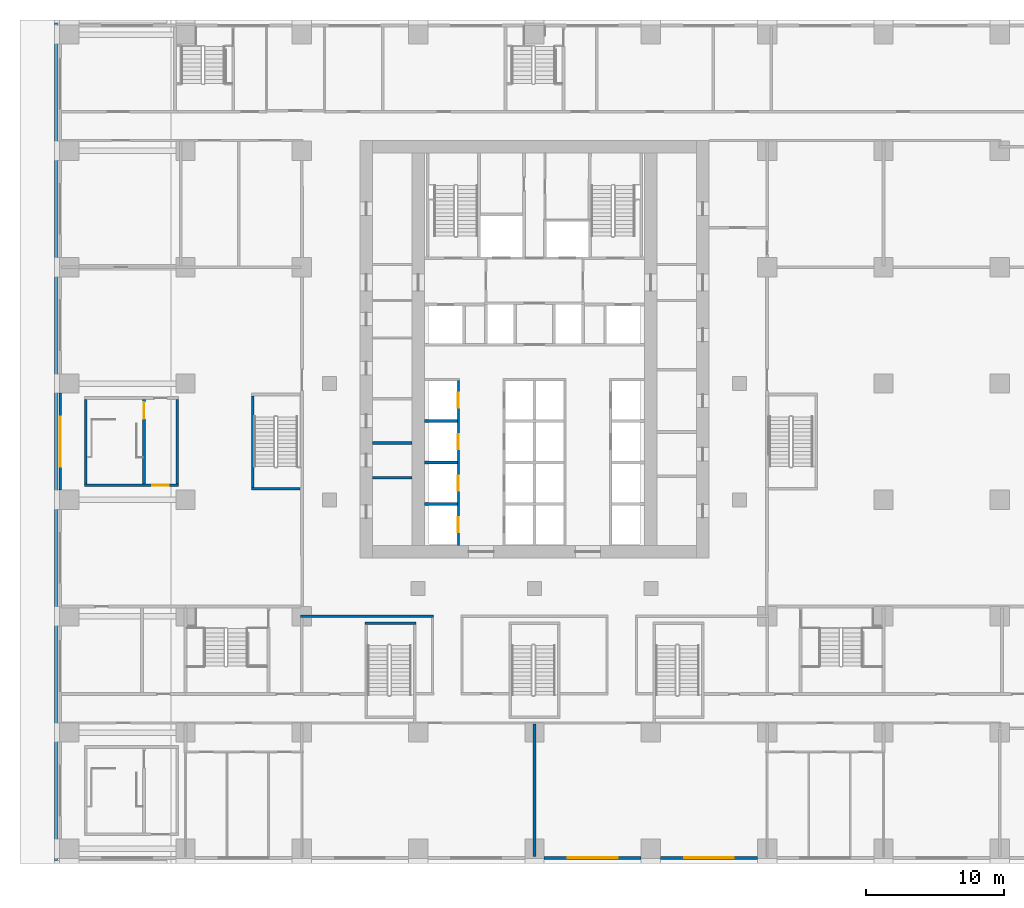
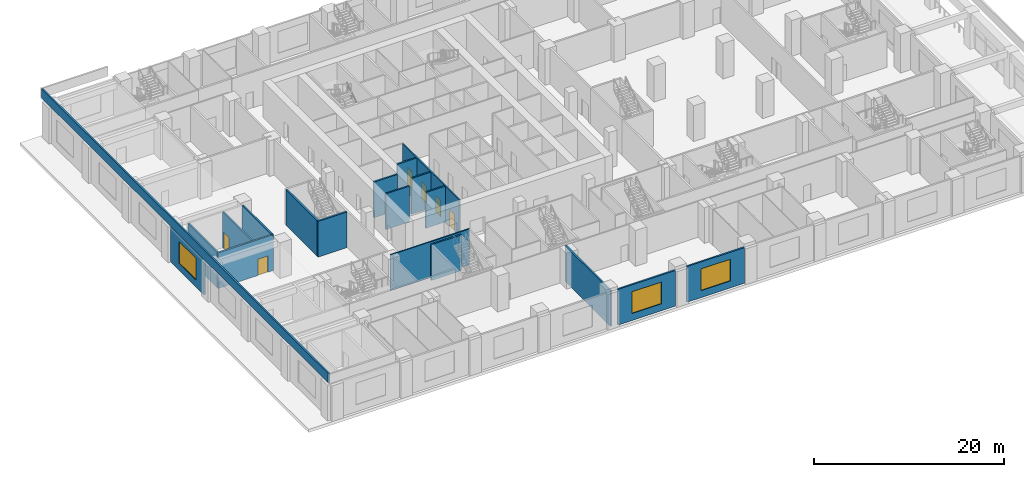
# One storey, part 9 of 29: 19 walls, 6 doors, 3 windows, 9 openings.
"""IFC4 building model written with IfcOpenShell, lengths in metres."""

from ifc_helpers import new_model, si_unit, direction, frame, frame_2d, origin, place, context, subcontext, project, spatial, rectangle, extrude, material, layer, layer_set, type_object, element, fill, save


model = new_model("IFC4")

# Units and contexts
model_context = context("Model", 3, precision=1e-05, world=origin(), true_north=direction((0.0, 1.0)))
body_context = subcontext(model_context, "Body", "Model", "MODEL_VIEW")
ifc_project = project(units=[si_unit("LENGTHUNIT", "METRE"), si_unit("AREAUNIT", "SQUARE_METRE"), si_unit("VOLUMEUNIT", "CUBIC_METRE"), si_unit("PLANEANGLEUNIT", "RADIAN"), si_unit("MASSUNIT", "GRAM", prefix="KILO")], contexts=[model_context])

# Site, building, storey
site_placement = place(None, origin())
site = spatial("IfcSite", under=ifc_project, at=site_placement, CompositionType="ELEMENT")
building_placement = place(site_placement, origin())
building = spatial("IfcBuilding", under=site, at=building_placement, Name="Vermilion Ogive Tower", CompositionType="ELEMENT")
storey_placement = place(building_placement, frame((0.0, 0.0, 7.5)))
storey = spatial("IfcBuildingStorey", under=building, at=storey_placement, Name="L01", CompositionType="ELEMENT", Elevation=7.5)

# Wall
ifc_material_1 = material(Name="Gypsum board partition on steel studs", Category="steel")
ifc_layer_1 = layer(ifc_material_1, 0.14990234375)
ifc_layer_set_1 = layer_set([ifc_layer_1], Name="Partition 150 corridor")
wall_type_1 = type_object("IfcWallType", Name="Partition 150 corridor", PredefinedType="PARTITIONING", material=ifc_layer_set_1)
wall_1_placement = place(storey_placement, frame((-16.89990234375, -12.60009765625, 0.0), z_axis=(0.0, 0.0, 1.0), x_axis=(1.0, 0.0, 0.0)))
element("IfcWall", 1, at=wall_1_placement, inside=storey, type_object=wall_type_1, Name="L01-FS-W-W018", PredefinedType="PARTITIONING", context=body_context, shape_type="SweptSolid", body=[
    extrude(rectangle(XDim=9.625, YDim=0.14990234375, at=frame_2d((4.8125, 0.0))), origin(), (0.0, 0.0, 1.0), 4.60009765625),
])

# Wall, openings, doors
wall_2_placement = place(storey_placement, frame((-5.5, -7.4990234375, 0.0), z_axis=(0.0, 0.0, 1.0), x_axis=(0.0, 1.0, 0.0)))
wall_2 = element("IfcWall", 2, at=wall_2_placement, inside=storey, type_object=wall_type_1, Name="L01-CK-W-W022", PredefinedType="PARTITIONING", context=body_context, shape_type="SweptSolid", body=[
    extrude(rectangle(XDim=11.924072265625, YDim=0.14990234375, at=frame_2d((5.9619140625, 0.0))), origin(), (0.0, 0.0, 1.0), 4.60009765625),
])
opening_1_placement = place(wall_2_placement, frame((0.948974609375, 0.0, 0.0)))
opening_1 = element("IfcOpeningElement", 3, at=opening_1_placement, cuts=wall_2, Name="Opening DAB041", PredefinedType="OPENING", context=body_context, shape_type="SweptSolid", body=[
    extrude(rectangle(XDim=1.10009765625, YDim=2.10009765625, at=frame_2d((0.550048828125, 1.050048828125))), frame((0.0, 0.0849609375, 0.0), z_axis=(0.0, -1.0, 0.0), x_axis=(1.0, 0.0, 0.0)), (0.0, 0.0, 1.0), 0.169921875),
])
opening_2_placement = place(wall_2_placement, frame((3.948974609375, 0.0, 0.0)))
opening_2 = element("IfcOpeningElement", 4, at=opening_2_placement, cuts=wall_2, Name="Opening DAB046", PredefinedType="OPENING", context=body_context, shape_type="SweptSolid", body=[
    extrude(rectangle(XDim=1.10009765625, YDim=2.10009765625, at=frame_2d((0.550048828125, 1.050048828125))), frame((0.0, 0.0849609375, 0.0), z_axis=(0.0, -1.0, 0.0), x_axis=(1.0, 0.0, 0.0)), (0.0, 0.0, 1.0), 0.169921875),
])
opening_3_placement = place(wall_2_placement, frame((6.948974609375, 0.0, 0.0)))
opening_3 = element("IfcOpeningElement", 5, at=opening_3_placement, cuts=wall_2, Name="Opening DAB047", PredefinedType="OPENING", context=body_context, shape_type="SweptSolid", body=[
    extrude(rectangle(XDim=1.10009765625, YDim=2.10009765625, at=frame_2d((0.550048828125, 1.050048828125))), frame((0.0, 0.0849609375, 0.0), z_axis=(0.0, -1.0, 0.0), x_axis=(1.0, 0.0, 0.0)), (0.0, 0.0, 1.0), 0.169921875),
])
opening_4_placement = place(wall_2_placement, frame((9.948974609375, 0.0, 0.0)))
opening_4 = element("IfcOpeningElement", 6, at=opening_4_placement, cuts=wall_2, Name="Opening DAB048", PredefinedType="OPENING", context=body_context, shape_type="SweptSolid", body=[
    extrude(rectangle(XDim=1.10009765625, YDim=2.10009765625, at=frame_2d((0.550048828125, 1.050048828125))), frame((0.0, 0.0849609375, 0.0), z_axis=(0.0, -1.0, 0.0), x_axis=(1.0, 0.0, 0.0)), (0.0, 0.0, 1.0), 0.169921875),
])
ifc_material_2 = material(Name="Stainless steel", Category="steel")
door_type_1 = type_object("IfcDoorType", Name="Lift landing door 1100 x 2100", OperationType="SLIDING_TO_LEFT", PredefinedType="DOOR", material=ifc_material_2)
door_1_placement = place(opening_1_placement, origin())
door_1 = element("IfcDoor", 7, at=door_1_placement, inside=storey, type_object=door_type_1, Name="L01-CK-D-D001", OperationType="SLIDING_TO_RIGHT", OverallHeight=2.10009765625, OverallWidth=1.10009765625, PredefinedType="DOOR", context=body_context, shape_type="SweptSolid", body=[
    extrude(rectangle(XDim=1.10009765625, YDim=2.10009765625, at=frame_2d((0.550048828125, 1.050048828125))), frame((0.0, 0.02490234375, 0.0), z_axis=(0.0, -1.0, 0.0), x_axis=(1.0, 0.0, 0.0)), (0.0, 0.0, 1.0), 0.050048828125),
])
fill(opening_1, door_1)
door_2_placement = place(opening_2_placement, origin())
door_2 = element("IfcDoor", 8, at=door_2_placement, inside=storey, type_object=door_type_1, Name="L01-CK-D-D002", OperationType="SLIDING_TO_RIGHT", OverallHeight=2.10009765625, OverallWidth=1.10009765625, PredefinedType="DOOR", context=body_context, shape_type="SweptSolid", body=[
    extrude(rectangle(XDim=1.10009765625, YDim=2.10009765625, at=frame_2d((0.550048828125, 1.050048828125))), frame((0.0, 0.02490234375, 0.0), z_axis=(0.0, -1.0, 0.0), x_axis=(1.0, 0.0, 0.0)), (0.0, 0.0, 1.0), 0.050048828125),
])
fill(opening_2, door_2)
door_3_placement = place(opening_3_placement, origin())
door_3 = element("IfcDoor", 9, at=door_3_placement, inside=storey, type_object=door_type_1, Name="L01-CK-D-D003", OperationType="SLIDING_TO_RIGHT", OverallHeight=2.10009765625, OverallWidth=1.10009765625, PredefinedType="DOOR", context=body_context, shape_type="SweptSolid", body=[
    extrude(rectangle(XDim=1.10009765625, YDim=2.10009765625, at=frame_2d((0.550048828125, 1.050048828125))), frame((0.0, 0.02490234375, 0.0), z_axis=(0.0, -1.0, 0.0), x_axis=(1.0, 0.0, 0.0)), (0.0, 0.0, 1.0), 0.050048828125),
])
fill(opening_3, door_3)
door_4_placement = place(opening_4_placement, origin())
door_4 = element("IfcDoor", 10, at=door_4_placement, inside=storey, type_object=door_type_1, Name="L01-CK-D-D004", OperationType="SLIDING_TO_RIGHT", OverallHeight=2.10009765625, OverallWidth=1.10009765625, PredefinedType="DOOR", context=body_context, shape_type="SweptSolid", body=[
    extrude(rectangle(XDim=1.10009765625, YDim=2.10009765625, at=frame_2d((0.550048828125, 1.050048828125))), frame((0.0, 0.02490234375, 0.0), z_axis=(0.0, -1.0, 0.0), x_axis=(1.0, 0.0, 0.0)), (0.0, 0.0, 1.0), 0.050048828125),
])
fill(opening_4, door_4)

# Wall, opening, door
ifc_material_3 = material(Name="Gypsum board partition on steel studs", Category="steel")
ifc_layer_2 = layer(ifc_material_3, 0.199951171875)
ifc_layer_set_2 = layer_set([ifc_layer_2], Name="Partition 200 party")
wall_type_2 = type_object("IfcWallType", Name="Partition 200 party", PredefinedType="PARTITIONING", material=ifc_layer_set_2)
wall_3_placement = place(storey_placement, frame((-32.5, -3.14990234375, 0.0), z_axis=(0.0, 0.0, 1.0), x_axis=(1.0, 0.0, 0.0)))
wall_3 = element("IfcWall", 11, at=wall_3_placement, inside=storey, type_object=wall_type_2, Name="L01-FS-W-W023", PredefinedType="PARTITIONING", context=body_context, shape_type="SweptSolid", body=[
    extrude(rectangle(XDim=6.800048828125, YDim=0.199951171875, at=frame_2d((3.39990234375, 0.0))), origin(), (0.0, 0.0, 1.0), 4.60009765625),
])
opening_5_placement = place(wall_3_placement, frame((4.89990234375, 0.0, 0.0)))
opening_5 = element("IfcOpeningElement", 12, at=opening_5_placement, cuts=wall_3, Name="Opening L01S021", PredefinedType="OPENING", context=body_context, shape_type="SweptSolid", body=[
    extrude(rectangle(XDim=1.199951171875, YDim=2.10009765625, at=frame_2d((0.60009765625, 1.050048828125))), frame((0.0, 0.10986328125, 0.0), z_axis=(0.0, -1.0, 0.0), x_axis=(1.0, 0.0, 0.0)), (0.0, 0.0, 1.0), 0.219970703125),
])
ifc_material_4 = material(Name="Timber door leaf", Category="wood")
door_type_2 = type_object("IfcDoorType", Name="Stair door 1200 x 2100 FD60S", OperationType="SINGLE_SWING_LEFT", PredefinedType="DOOR", material=ifc_material_4)
door_5_placement = place(opening_5_placement, origin())
door_5 = element("IfcDoor", 13, at=door_5_placement, inside=storey, type_object=door_type_2, Name="L01-FS-D-D021", OperationType="SINGLE_SWING_LEFT", OverallHeight=2.10009765625, OverallWidth=1.199951171875, PredefinedType="DOOR", context=body_context, shape_type="SweptSolid", body=[
    extrude(rectangle(XDim=1.199951171875, YDim=2.10009765625, at=frame_2d((0.60009765625, 1.050048828125))), frame((0.0, 0.02490234375, 0.0), z_axis=(0.0, -1.0, 0.0), x_axis=(1.0, 0.0, 0.0)), (0.0, 0.0, 1.0), 0.050048828125),
])
fill(opening_5, door_5)

# Wall
wall_4_placement = place(storey_placement, frame((-32.39990234375, -3.050048828125, 0.0), z_axis=(0.0, 0.0, 1.0), x_axis=(0.0, 1.0, 0.0)))
element("IfcWall", 14, at=wall_4_placement, inside=storey, type_object=wall_type_2, Name="L01-FS-W-W042", PredefinedType="PARTITIONING", context=body_context, shape_type="SweptSolid", body=[
    extrude(rectangle(XDim=6.10009765625, YDim=0.199951171875, at=frame_2d((3.050048828125, 0.0))), origin(), (0.0, 0.0, 1.0), 4.60009765625),
])

# Wall, opening, door
wall_5_placement = place(storey_placement, frame((-28.199951171875, -3.050048828125, 0.0), z_axis=(0.0, 0.0, 1.0), x_axis=(0.0, 1.0, 0.0)))
wall_5 = element("IfcWall", 15, at=wall_5_placement, inside=storey, type_object=wall_type_2, Name="L01-FS-W-W045", PredefinedType="PARTITIONING", context=body_context, shape_type="SweptSolid", body=[
    extrude(rectangle(XDim=6.10009765625, YDim=0.199951171875, at=frame_2d((3.050048828125, 0.0))), origin(), (0.0, 0.0, 1.0), 4.60009765625),
])
opening_6_placement = place(wall_5_placement, frame((4.7001953125, 0.0, 0.0)))
opening_6 = element("IfcOpeningElement", 16, at=opening_6_placement, cuts=wall_5, Name="Opening L01S011", PredefinedType="OPENING", context=body_context, shape_type="SweptSolid", body=[
    extrude(rectangle(XDim=1.199951171875, YDim=2.10009765625, at=frame_2d((0.60009765625, 1.050048828125))), frame((0.0, 0.10986328125, 0.0), z_axis=(0.0, -1.0, 0.0), x_axis=(1.0, 0.0, 0.0)), (0.0, 0.0, 1.0), 0.219970703125),
])
door_6_placement = place(opening_6_placement, origin())
door_6 = element("IfcDoor", 17, at=door_6_placement, inside=storey, type_object=door_type_2, Name="L01-FS-D-D011", OperationType="DOUBLE_DOOR_SINGLE_SWING", OverallHeight=2.10009765625, OverallWidth=1.199951171875, PredefinedType="DOOR", context=body_context, shape_type="SweptSolid", body=[
    extrude(rectangle(XDim=1.199951171875, YDim=2.10009765625, at=frame_2d((0.60009765625, 1.050048828125))), frame((0.0, 0.02490234375, 0.0), z_axis=(0.0, -1.0, 0.0), x_axis=(1.0, 0.0, 0.0)), (0.0, 0.0, 1.0), 0.050048828125),
])
fill(opening_6, door_6)

# Walls
wall_6_placement = place(storey_placement, frame((-25.800048828125, -3.050048828125, 0.0), z_axis=(0.0, 0.0, 1.0), x_axis=(0.0, 1.0, 0.0)))
element("IfcWall", 18, at=wall_6_placement, inside=storey, type_object=wall_type_2, Name="L01-FS-W-W048", PredefinedType="PARTITIONING", context=body_context, shape_type="SweptSolid", body=[
    extrude(rectangle(XDim=6.10009765625, YDim=0.199951171875, at=frame_2d((3.050048828125, 0.0))), origin(), (0.0, 0.0, 1.0), 4.60009765625),
])
wall_7_placement = place(storey_placement, frame((0.0, -29.949951171875, 0.0), z_axis=(0.0, 0.0, 1.0), x_axis=(0.0, 1.0, 0.0)))
element("IfcWall", 19, at=wall_7_placement, inside=storey, type_object=wall_type_2, Name="L01-FS-W-W068", PredefinedType="PARTITIONING", context=body_context, shape_type="SweptSolid", body=[
    extrude(rectangle(XDim=9.574951171875, YDim=0.199951171875, at=frame_2d((4.78759765625, 0.0))), origin(), (0.0, 0.0, 1.0), 4.60009765625),
])
for number, where, z_axis, x_axis, name in (
    (20, (-7.948974609375, -4.5, 0.0), (0.0, 0.0, 1.0), (1.0, 0.0, 0.0), "L01-CK-W-W001"),
    (21, (-7.948974609375, -1.5, 0.0), (0.0, 0.0, 1.0), (1.0, 0.0, 0.0), "L01-CK-W-W004"),
    (22, (-7.948974609375, 1.5, 0.0), (0.0, 0.0, 1.0), (1.0, 0.0, 0.0), "L01-CK-W-W007"),
):
    element("IfcWall", number, at=place(storey_placement, frame(where, z_axis=z_axis, x_axis=x_axis)), inside=storey, type_object=wall_type_2, Name=name, PredefinedType="PARTITIONING", context=body_context, shape_type="SweptSolid", body=[
        extrude(rectangle(XDim=2.3740234375, YDim=0.199951171875, at=frame_2d((1.18701171875, 0.0))), origin(), (0.0, 0.0, 1.0), 4.60009765625),
    ])
for number, where, z_axis, x_axis, name in (
    (23, (-11.698974609375, -2.60009765625, 0.0), (0.0, 0.0, 1.0), (1.0, 0.0, 0.0), "L01-CKW-W-W001"),
    (24, (-11.698974609375, -0.10009765625, 0.0), (0.0, 0.0, 1.0), (1.0, 0.0, 0.0), "L01-CKW-W-W002"),
):
    element("IfcWall", number, at=place(storey_placement, frame(where, z_axis=z_axis, x_axis=x_axis)), inside=storey, type_object=wall_type_2, Name=name, PredefinedType="PARTITIONING", context=body_context, shape_type="SweptSolid", body=[
        extrude(rectangle(XDim=2.847900390625, YDim=0.199951171875, at=frame_2d((1.423828125, 0.0))), origin(), (0.0, 0.0, 1.0), 4.60009765625),
    ])
ifc_material_5 = material(Name="Concrete B60", Category="concrete")
ifc_layer_3 = layer(ifc_material_5, 0.199951171875)
ifc_layer_set_3 = layer_set([ifc_layer_3], Name="Stair shaft wall 200 Concrete B60")
wall_type_3 = type_object("IfcWallType", Name="Stair shaft wall 200 Concrete B60", PredefinedType="SOLIDWALL", material=ifc_layer_set_3)
wall_8_placement = place(storey_placement, frame((-12.25, -13.10009765625, 0.0), z_axis=(0.0, 0.0, 1.0), x_axis=(1.0, 0.0, 0.0)))
element("IfcWall", 25, at=wall_8_placement, inside=storey, type_object=wall_type_3, Name="L01-SW-ST3-N1", PredefinedType="SOLIDWALL", context=body_context, shape_type="SweptSolid", body=[
    extrude(rectangle(XDim=3.699951171875, YDim=0.199951171875, at=frame_2d((1.85009765625, 0.0))), origin(), (0.0, 0.0, 1.0), 4.60009765625),
])
wall_9_placement = place(storey_placement, frame((-20.449951171875, -3.39990234375, 0.0), z_axis=(0.0, 0.0, 1.0), x_axis=(1.0, 0.0, 0.0)))
element("IfcWall", 26, at=wall_9_placement, inside=storey, type_object=wall_type_3, Name="L01-SW-ST9-S1", PredefinedType="SOLIDWALL", context=body_context, shape_type="SweptSolid", body=[
    extrude(rectangle(XDim=3.52490234375, YDim=0.199951171875, at=frame_2d((1.762451171875, 0.0))), origin(), (0.0, 0.0, 1.0), 4.60009765625),
])
wall_10_placement = place(storey_placement, frame((-20.35009765625, -3.300048828125, 0.0), z_axis=(0.0, 0.0, 1.0), x_axis=(0.0, 1.0, 0.0)))
element("IfcWall", 27, at=wall_10_placement, inside=storey, type_object=wall_type_3, Name="L01-SW-ST9-W1", PredefinedType="SOLIDWALL", context=body_context, shape_type="SweptSolid", body=[
    extrude(rectangle(XDim=6.60009765625, YDim=0.199951171875, at=frame_2d((3.300048828125, 0.0))), origin(), (0.0, 0.0, 1.0), 4.60009765625),
])
ifc_material_6 = material(Name="Concrete B45", Category="concrete")
ifc_layer_4 = layer(ifc_material_6, 0.199951171875)
ifc_layer_set_4 = layer_set([ifc_layer_4], Name="Terrace parapet RC Concrete B45")
wall_type_4 = type_object("IfcWallType", Name="Terrace parapet RC Concrete B45", PredefinedType="PARAPET", material=ifc_layer_set_4)
wall_11_placement = place(storey_placement, frame((-34.550048828125, -30.25, 5.0), z_axis=(0.0, 0.0, 1.0), x_axis=(0.0, 1.0, 0.0)))
element("IfcWall", 28, at=wall_11_placement, inside=storey, type_object=wall_type_4, Name="L01 terrace parapet 2", PredefinedType="PARAPET", context=body_context, shape_type="SweptSolid", body=[
    extrude(rectangle(XDim=60.5, YDim=0.199951171875, at=frame_2d((30.25, 0.0))), origin(), (0.0, 0.0, 1.0), 1.199951171875),
])

# Wall, opening, window
ifc_material_7 = material(Name="Aluminium window wall framing", Category="aluminium")
ifc_layer_5 = layer(ifc_material_7, 0.199951171875)
ifc_layer_set_5 = layer_set([ifc_layer_5], Name="Window wall")
wall_type_5 = type_object("IfcWallType", Name="Window wall", PredefinedType="STANDARD", material=ifc_layer_set_5)
wall_12_placement = place(storey_placement, frame((0.699951171875, -30.050048828125, 0.0), z_axis=(0.0, 0.0, 1.0), x_axis=(1.0, 0.0, 0.0)))
wall_12 = element("IfcWall", 29, at=wall_12_placement, inside=storey, type_object=wall_type_5, Name="Window wall S5", PredefinedType="STANDARD", context=body_context, shape_type="SweptSolid", body=[
    extrude(rectangle(XDim=7.0, YDim=0.199951171875, at=frame_2d((3.5, 0.0))), origin(), (0.0, 0.0, 1.0), 4.60009765625),
])
opening_7_placement = place(wall_12_placement, frame((1.699951171875, 0.0, 0.89990234375)))
opening_7 = element("IfcOpeningElement", 30, at=opening_7_placement, cuts=wall_12, Name="Opening P-S5", PredefinedType="OPENING", context=body_context, shape_type="SweptSolid", body=[
    extrude(rectangle(XDim=3.60009765625, YDim=2.800048828125, at=frame_2d((1.800048828125, 1.39990234375))), frame((0.0, 0.10986328125, 0.0), z_axis=(0.0, -1.0, 0.0), x_axis=(1.0, 0.0, 0.0)), (0.0, 0.0, 1.0), 0.219970703125),
])
ifc_material_8 = material(Name="Aluminium framed double glazing", Category="aluminium")
window_type = type_object("IfcWindowType", Name="Podium window P 3600x2800 sill 900", PartitioningType="SINGLE_PANEL", PredefinedType="WINDOW", material=ifc_material_8)
window_1_placement = place(opening_7_placement, origin())
window_1 = element("IfcWindow", 31, at=window_1_placement, inside=storey, type_object=window_type, Name="Window S5", OverallHeight=2.800048828125, OverallWidth=3.60009765625, PartitioningType="SINGLE_PANEL", PredefinedType="WINDOW", context=body_context, shape_type="SweptSolid", body=[
    extrude(rectangle(XDim=3.60009765625, YDim=2.800048828125, at=frame_2d((1.800048828125, 1.39990234375))), frame((0.0, 0.030029296875, 0.0), z_axis=(0.0, -1.0, 0.0), x_axis=(1.0, 0.0, 0.0)), (0.0, 0.0, 1.0), 0.06005859375),
])
fill(opening_7, window_1)

wall_13_placement = place(storey_placement, frame((9.10009765625, -30.050048828125, 0.0), z_axis=(0.0, 0.0, 1.0), x_axis=(1.0, 0.0, 0.0)))
wall_13 = element("IfcWall", 32, at=wall_13_placement, inside=storey, type_object=wall_type_5, Name="Window wall S6", PredefinedType="STANDARD", context=body_context, shape_type="SweptSolid", body=[
    extrude(rectangle(XDim=7.0, YDim=0.199951171875, at=frame_2d((3.5, 0.0))), origin(), (0.0, 0.0, 1.0), 4.60009765625),
])
opening_8_placement = place(wall_13_placement, frame((1.699951171875, 0.0, 0.89990234375)))
opening_8 = element("IfcOpeningElement", 33, at=opening_8_placement, cuts=wall_13, Name="Opening P-S6", PredefinedType="OPENING", context=body_context, shape_type="SweptSolid", body=[
    extrude(rectangle(XDim=3.60009765625, YDim=2.800048828125, at=frame_2d((1.800048828125, 1.39990234375))), frame((0.0, 0.10986328125, 0.0), z_axis=(0.0, -1.0, 0.0), x_axis=(1.0, 0.0, 0.0)), (0.0, 0.0, 1.0), 0.219970703125),
])
window_2_placement = place(opening_8_placement, origin())
window_2 = element("IfcWindow", 34, at=window_2_placement, inside=storey, type_object=window_type, Name="Window S6", OverallHeight=2.800048828125, OverallWidth=3.60009765625, PartitioningType="SINGLE_PANEL", PredefinedType="WINDOW", context=body_context, shape_type="SweptSolid", body=[
    extrude(rectangle(XDim=3.60009765625, YDim=2.800048828125, at=frame_2d((1.800048828125, 1.39990234375))), frame((0.0, 0.030029296875, 0.0), z_axis=(0.0, -1.0, 0.0), x_axis=(1.0, 0.0, 0.0)), (0.0, 0.0, 1.0), 0.06005859375),
])
fill(opening_8, window_2)

wall_14_placement = place(storey_placement, frame((-34.25, 3.5, 0.0), z_axis=(0.0, 0.0, 1.0), x_axis=(0.0, -1.0, 0.0)))
wall_14 = element("IfcWall", 35, at=wall_14_placement, inside=storey, type_object=wall_type_5, Name="Window wall W4", PredefinedType="STANDARD", context=body_context, shape_type="SweptSolid", body=[
    extrude(rectangle(XDim=7.0, YDim=0.199951171875, at=frame_2d((3.5, 0.0))), origin(), (0.0, 0.0, 1.0), 4.60009765625),
])
opening_9_placement = place(wall_14_placement, frame((1.699951171875, 0.0, 0.89990234375)))
opening_9 = element("IfcOpeningElement", 36, at=opening_9_placement, cuts=wall_14, Name="Opening P-W4", PredefinedType="OPENING", context=body_context, shape_type="SweptSolid", body=[
    extrude(rectangle(XDim=3.60009765625, YDim=2.800048828125, at=frame_2d((1.800048828125, 1.39990234375))), frame((0.0, 0.10986328125, 0.0), z_axis=(0.0, -1.0, 0.0), x_axis=(1.0, 0.0, 0.0)), (0.0, 0.0, 1.0), 0.219970703125),
])
window_3_placement = place(opening_9_placement, origin())
window_3 = element("IfcWindow", 37, at=window_3_placement, inside=storey, type_object=window_type, Name="Window W4", OverallHeight=2.800048828125, OverallWidth=3.60009765625, PartitioningType="SINGLE_PANEL", PredefinedType="WINDOW", context=body_context, shape_type="SweptSolid", body=[
    extrude(rectangle(XDim=3.60009765625, YDim=2.800048828125, at=frame_2d((1.800048828125, 1.39990234375))), frame((0.0, 0.030029296875, 0.0), z_axis=(0.0, -1.0, 0.0), x_axis=(1.0, 0.0, 0.0)), (0.0, 0.0, 1.0), 0.06005859375),
])
fill(opening_9, window_3)

save(model, "model.ifc")
